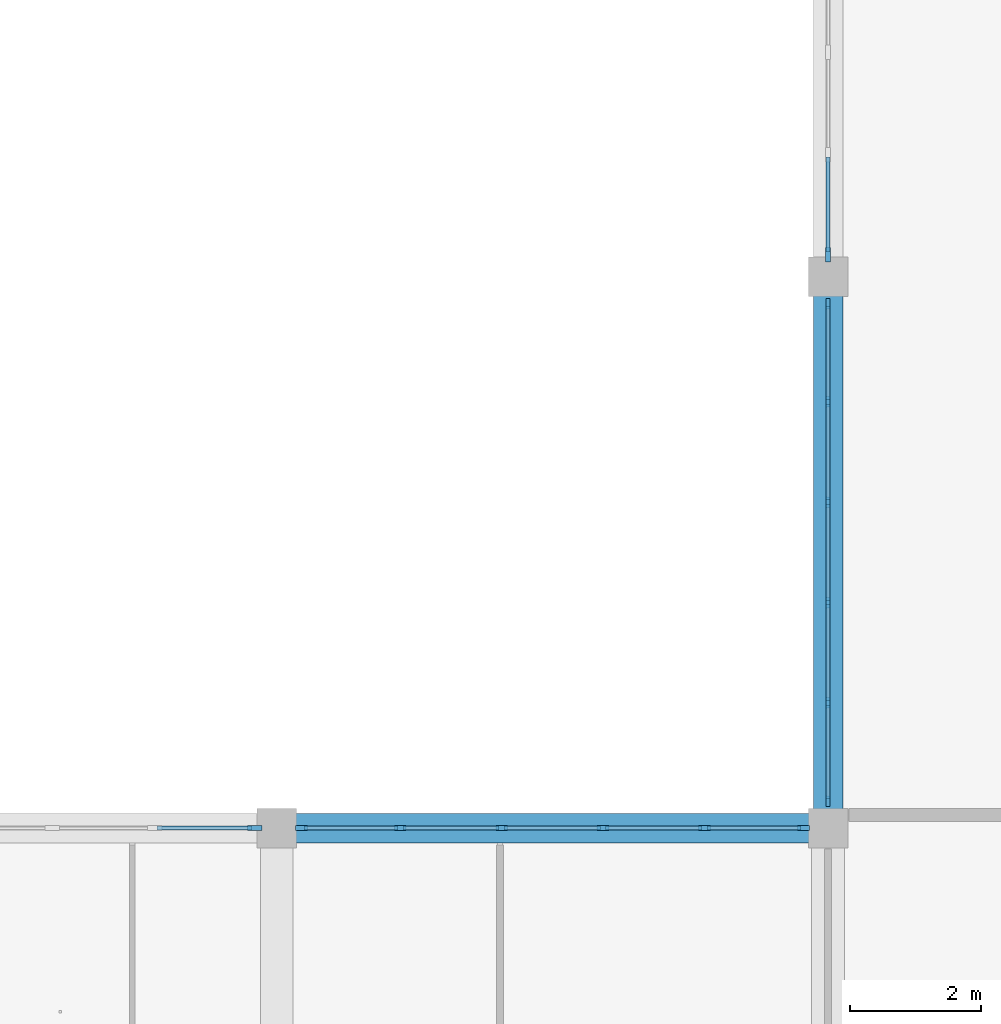
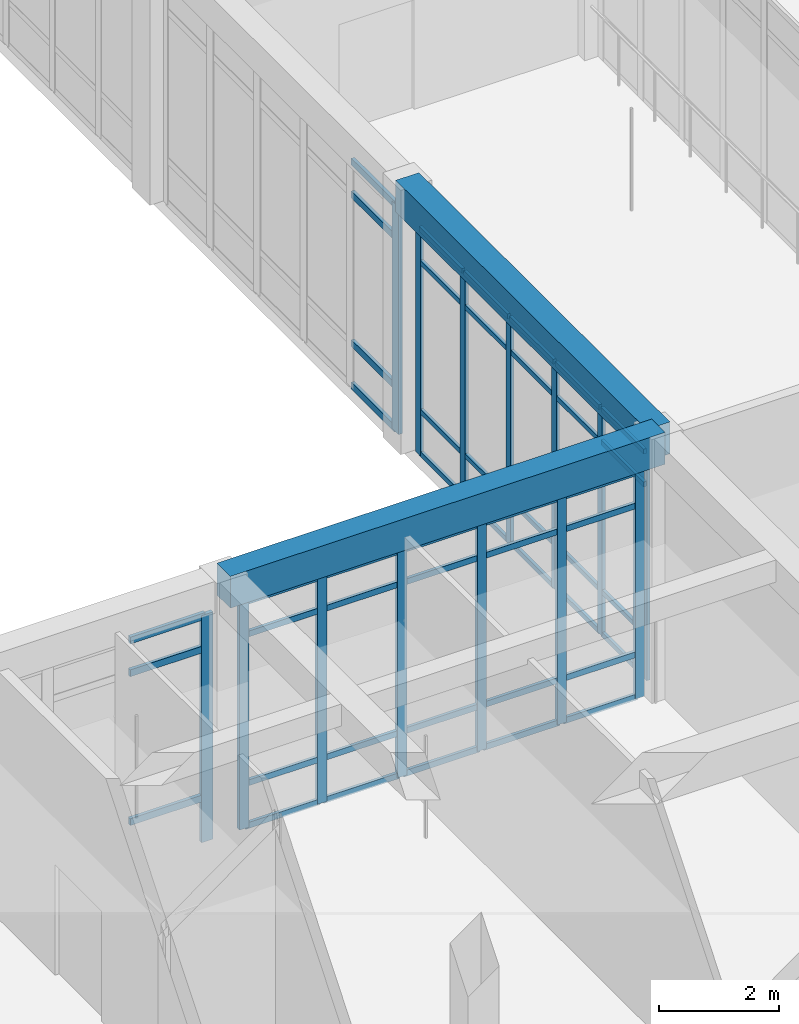
# One storey, part 13 of 157: 61 members, 2 beams, 4 elements without a shape of their own.
"""IFC4 building model written with IfcOpenShell, lengths in metres."""

from ifc_helpers import new_model, si_unit, direction, frame, origin, origin_2d, place, context, subcontext, project, spatial, rectangle, extrude, material, material_profile, profile_set, type_object, element, aggregate, save


model = new_model("IFC4")

# Units and contexts
model_context = context("Model", 3, precision=1e-05, world=origin(), true_north=direction((0.0, 1.0)))
body_context = subcontext(model_context, "Body", "Model", "MODEL_VIEW")
ifc_project = project(units=[si_unit("LENGTHUNIT", "METRE"), si_unit("AREAUNIT", "SQUARE_METRE"), si_unit("VOLUMEUNIT", "CUBIC_METRE"), si_unit("PLANEANGLEUNIT", "RADIAN"), si_unit("MASSUNIT", "GRAM", prefix="KILO")], contexts=[model_context])

# Site, building, storey
site_placement = place(None, origin())
site = spatial("IfcSite", under=ifc_project, at=site_placement, CompositionType="ELEMENT")
building_placement = place(site_placement, origin())
building = spatial("IfcBuilding", under=site, at=building_placement, Name="Varncliffe General Hospital", CompositionType="ELEMENT")
storey_placement = place(building_placement, frame((0.0, 0.0, 5.39990234375)))
storey = spatial("IfcBuildingStorey", under=building, at=storey_placement, Name="L01", CompositionType="ELEMENT", Elevation=5.39990234375)

# Curtain wall, members
ifc_material_1 = material(Name="Triple low-E argon insulated vision glazing", Category="glass")
curtain_wall_type_1 = type_object("IfcCurtainWallType", Name="Unitised Glazed Curtain Wall CW70 (7724x4640)", PredefinedType="USERDEFINED", material=ifc_material_1)
curtain_wall_1_placement = place(storey_placement, origin())
curtain_wall_1 = element("IfcCurtainWall", 1, at=curtain_wall_1_placement, inside=storey, type_object=curtain_wall_type_1, Name="L01 Glazed Curtain Wall CW70-85", ObjectType="GLAZED CURTAIN WALL", PredefinedType="USERDEFINED")
ifc_material_2 = material(Name="Dark bronze thermally broken aluminium framing", Category="aluminium")
ifc_material_profile_1 = material_profile(ifc_material_2, rectangle(XDim=0.074951171875, YDim=0.179931640625, at=origin_2d()), Name="ALU 75x180")
ifc_profile_set_1 = profile_set([ifc_material_profile_1], Name="Dark bronze thermally broken aluminium framing")
member_type_1 = type_object("IfcMemberType", Name="Curtain Wall Mullion CM44 (ALU 75x180)", PredefinedType="MULLION", material=ifc_profile_set_1)
member_1_placement = place(storey_placement, frame((50.775390625, 40.800048828125, 0.0), z_axis=(0.0, 0.0, 1.0), x_axis=(0.0, 1.0, 0.0)))
member_1 = element("IfcMember", 2, at=member_1_placement, type_object=member_type_1, Name="CW70 mullion 1", PredefinedType="MULLION", context=body_context, shape_type="SweptSolid", body=[
    extrude(rectangle(XDim=0.074951171875, YDim=0.179931640625, at=origin_2d()), origin(), (0.0, 0.0, 1.0), 4.64013671875),
])
member_2_placement = place(storey_placement, frame((52.28271484375, 40.800048828125, 0.0), z_axis=(0.0, 0.0, 1.0), x_axis=(0.0, 1.0, 0.0)))
member_2 = element("IfcMember", 3, at=member_2_placement, type_object=member_type_1, Name="CW70 mullion 2", PredefinedType="MULLION", context=body_context, shape_type="SweptSolid", body=[
    extrude(rectangle(XDim=0.074951171875, YDim=0.179931640625, at=origin_2d()), origin(), (0.0, 0.0, 1.0), 4.64013671875),
])
member_3_placement = place(storey_placement, frame((53.82763671875, 40.800048828125, 0.0), z_axis=(0.0, 0.0, 1.0), x_axis=(0.0, 1.0, 0.0)))
member_3 = element("IfcMember", 4, at=member_3_placement, type_object=member_type_1, Name="CW70 mullion 3", PredefinedType="MULLION", context=body_context, shape_type="SweptSolid", body=[
    extrude(rectangle(XDim=0.074951171875, YDim=0.179931640625, at=origin_2d()), origin(), (0.0, 0.0, 1.0), 4.64013671875),
])
member_4_placement = place(storey_placement, frame((55.372314453125, 40.800048828125, 0.0), z_axis=(0.0, 0.0, 1.0), x_axis=(0.0, 1.0, 0.0)))
member_4 = element("IfcMember", 5, at=member_4_placement, type_object=member_type_1, Name="CW70 mullion 4", PredefinedType="MULLION", context=body_context, shape_type="SweptSolid", body=[
    extrude(rectangle(XDim=0.074951171875, YDim=0.179931640625, at=origin_2d()), origin(), (0.0, 0.0, 1.0), 4.64013671875),
])
member_5_placement = place(storey_placement, frame((56.917236328125, 40.800048828125, 0.0), z_axis=(0.0, 0.0, 1.0), x_axis=(0.0, 1.0, 0.0)))
member_5 = element("IfcMember", 6, at=member_5_placement, type_object=member_type_1, Name="CW70 mullion 5", PredefinedType="MULLION", context=body_context, shape_type="SweptSolid", body=[
    extrude(rectangle(XDim=0.074951171875, YDim=0.179931640625, at=origin_2d()), origin(), (0.0, 0.0, 1.0), 4.64013671875),
])
member_6_placement = place(storey_placement, frame((58.424560546875, 40.800048828125, 0.0), z_axis=(0.0, 0.0, 1.0), x_axis=(0.0, 1.0, 0.0)))
member_6 = element("IfcMember", 7, at=member_6_placement, type_object=member_type_1, Name="CW70 mullion 6", PredefinedType="MULLION", context=body_context, shape_type="SweptSolid", body=[
    extrude(rectangle(XDim=0.074951171875, YDim=0.179931640625, at=origin_2d()), origin(), (0.0, 0.0, 1.0), 4.64013671875),
])

curtain_wall_type_2 = type_object("IfcCurtainWallType", Name="Unitised Glazed Curtain Wall CW27 (7644x4640)", PredefinedType="USERDEFINED", material=ifc_material_1)
curtain_wall_2_placement = place(storey_placement, origin())
curtain_wall_2 = element("IfcCurtainWall", 8, at=curtain_wall_2_placement, inside=storey, type_object=curtain_wall_type_2, Name="L01 Glazed Curtain Wall CW27-86", ObjectType="GLAZED CURTAIN WALL", PredefinedType="USERDEFINED")
ifc_material_profile_2 = material_profile(ifc_material_2, rectangle(XDim=0.06494140625, YDim=0.159912109375, at=origin_2d()), Name="ALU 65x160")
ifc_profile_set_2 = profile_set([ifc_material_profile_2], Name="Dark bronze thermally broken aluminium framing")
member_type_2 = type_object("IfcMemberType", Name="Curtain Wall Mullion CM65 (ALU 65x160)", PredefinedType="MULLION", material=ifc_profile_set_2)
member_7_placement = place(storey_placement, frame((58.800048828125, 41.21044921875, 0.0), z_axis=(0.0, 0.0, 1.0), x_axis=(-1.0, 0.0, 0.0)))
member_7 = element("IfcMember", 9, at=member_7_placement, type_object=member_type_2, Name="CW27 mullion 1", PredefinedType="MULLION", context=body_context, shape_type="SweptSolid", body=[
    extrude(rectangle(XDim=0.06494140625, YDim=0.159912109375, at=origin_2d()), origin(), (0.0, 0.0, 1.0), 4.64013671875),
])
member_8_placement = place(storey_placement, frame((58.800048828125, 42.706787109375, 0.0), z_axis=(0.0, 0.0, 1.0), x_axis=(-1.0, 0.0, 0.0)))
member_8 = element("IfcMember", 10, at=member_8_placement, type_object=member_type_2, Name="CW27 mullion 2", PredefinedType="MULLION", context=body_context, shape_type="SweptSolid", body=[
    extrude(rectangle(XDim=0.06494140625, YDim=0.159912109375, at=origin_2d()), origin(), (0.0, 0.0, 1.0), 4.64013671875),
])
member_9_placement = place(storey_placement, frame((58.800048828125, 44.235595703125, 0.0), z_axis=(0.0, 0.0, 1.0), x_axis=(-1.0, 0.0, 0.0)))
member_9 = element("IfcMember", 11, at=member_9_placement, type_object=member_type_2, Name="CW27 mullion 3", PredefinedType="MULLION", context=body_context, shape_type="SweptSolid", body=[
    extrude(rectangle(XDim=0.06494140625, YDim=0.159912109375, at=origin_2d()), origin(), (0.0, 0.0, 1.0), 4.64013671875),
])
member_10_placement = place(storey_placement, frame((58.800048828125, 45.764404296875, 0.0), z_axis=(0.0, 0.0, 1.0), x_axis=(-1.0, 0.0, 0.0)))
member_10 = element("IfcMember", 12, at=member_10_placement, type_object=member_type_2, Name="CW27 mullion 4", PredefinedType="MULLION", context=body_context, shape_type="SweptSolid", body=[
    extrude(rectangle(XDim=0.06494140625, YDim=0.159912109375, at=origin_2d()), origin(), (0.0, 0.0, 1.0), 4.64013671875),
])
member_11_placement = place(storey_placement, frame((58.800048828125, 47.293212890625, 0.0), z_axis=(0.0, 0.0, 1.0), x_axis=(-1.0, 0.0, 0.0)))
member_11 = element("IfcMember", 13, at=member_11_placement, type_object=member_type_2, Name="CW27 mullion 5", PredefinedType="MULLION", context=body_context, shape_type="SweptSolid", body=[
    extrude(rectangle(XDim=0.06494140625, YDim=0.159912109375, at=origin_2d()), origin(), (0.0, 0.0, 1.0), 4.64013671875),
])
member_12_placement = place(storey_placement, frame((58.800048828125, 48.78955078125, 0.0), z_axis=(0.0, 0.0, 1.0), x_axis=(-1.0, 0.0, 0.0)))
member_12 = element("IfcMember", 14, at=member_12_placement, type_object=member_type_2, Name="CW27 mullion 6", PredefinedType="MULLION", context=body_context, shape_type="SweptSolid", body=[
    extrude(rectangle(XDim=0.06494140625, YDim=0.159912109375, at=origin_2d()), origin(), (0.0, 0.0, 1.0), 4.64013671875),
])

# Curtain wall, member
curtain_wall_type_3 = type_object("IfcCurtainWallType", Name="Unitised Glazed Curtain Wall CW85 (7804x4640)", PredefinedType="USERDEFINED", material=ifc_material_1)
curtain_wall_3_placement = place(storey_placement, origin())
curtain_wall_3 = element("IfcCurtainWall", 15, at=curtain_wall_3_placement, inside=storey, type_object=curtain_wall_type_3, Name="L01 Glazed Curtain Wall CW85-84", ObjectType="GLAZED CURTAIN WALL", PredefinedType="USERDEFINED")
ifc_material_profile_3 = material_profile(ifc_material_2, rectangle(XDim=0.074951171875, YDim=0.219970703125, at=origin_2d()), Name="ALU 75x220")
ifc_profile_set_3 = profile_set([ifc_material_profile_3], Name="Dark bronze thermally broken aluminium framing")
member_type_3 = type_object("IfcMemberType", Name="Curtain Wall Mullion CM74 (ALU 75x220)", PredefinedType="MULLION", material=ifc_profile_set_3)
member_13_placement = place(storey_placement, frame((50.064453125, 40.800048828125, 0.0), z_axis=(0.0, 0.0, 1.0), x_axis=(0.0, 1.0, 0.0)))
member_13 = element("IfcMember", 16, at=member_13_placement, type_object=member_type_3, Name="CW85 mullion 6", PredefinedType="MULLION", context=body_context, shape_type="SweptSolid", body=[
    extrude(rectangle(XDim=0.074951171875, YDim=0.219970703125, at=origin_2d()), origin(), (0.0, 0.0, 1.0), 4.64013671875),
])

curtain_wall_4_placement = place(storey_placement, origin())
curtain_wall_4 = element("IfcCurtainWall", 17, at=curtain_wall_4_placement, inside=storey, type_object=curtain_wall_type_3, Name="L01 Glazed Curtain Wall CW85-87", ObjectType="GLAZED CURTAIN WALL", PredefinedType="USERDEFINED")
member_14_placement = place(storey_placement, frame((58.800048828125, 49.535400390625, 0.0), z_axis=(0.0, 0.0, 1.0), x_axis=(-1.0, 0.0, 0.0)))
member_14 = element("IfcMember", 18, at=member_14_placement, type_object=member_type_3, Name="CW85 mullion 1", PredefinedType="MULLION", context=body_context, shape_type="SweptSolid", body=[
    extrude(rectangle(XDim=0.074951171875, YDim=0.219970703125, at=origin_2d()), origin(), (0.0, 0.0, 1.0), 4.64013671875),
])

# Member
ifc_material_profile_4 = material_profile(ifc_material_2, rectangle(XDim=0.06005859375, YDim=0.1201171875, at=origin_2d()), Name="ALU 60x120")
ifc_profile_set_4 = profile_set([ifc_material_profile_4], Name="Dark bronze thermally broken aluminium framing")
member_type_4 = type_object("IfcMemberType", Name="Curtain Wall Transom CT14 (ALU 60x120)", PredefinedType="USERDEFINED", material=ifc_profile_set_4)
member_15_placement = place(storey_placement, frame((50.81298828125, 40.800048828125, 0.030029296875), z_axis=(1.0, 0.0, 0.0), x_axis=(0.0, 1.0, 0.0)))
member_15 = element("IfcMember", 19, at=member_15_placement, type_object=member_type_4, Name="CW70 transom 1.1", ObjectType="TRANSOM", PredefinedType="USERDEFINED", context=body_context, shape_type="SweptSolid", body=[
    extrude(rectangle(XDim=0.06005859375, YDim=0.1201171875, at=origin_2d()), origin(), (0.0, 0.0, 1.0), 1.432373046875),
])

member_16_placement = place(storey_placement, frame((50.81298828125, 40.800048828125, 0.900146484375), z_axis=(1.0, 0.0, 0.0), x_axis=(0.0, 1.0, 0.0)))
member_16 = element("IfcMember", 20, at=member_16_placement, type_object=member_type_4, Name="CW70 transom 1.2", ObjectType="TRANSOM", PredefinedType="USERDEFINED", context=body_context, shape_type="SweptSolid", body=[
    extrude(rectangle(XDim=0.06005859375, YDim=0.1201171875, at=origin_2d()), origin(), (0.0, 0.0, 1.0), 1.432373046875),
])

member_17_placement = place(storey_placement, frame((50.81298828125, 40.800048828125, 3.940185546875), z_axis=(1.0, 0.0, 0.0), x_axis=(0.0, 1.0, 0.0)))
member_17 = element("IfcMember", 21, at=member_17_placement, type_object=member_type_4, Name="CW70 transom 1.3", ObjectType="TRANSOM", PredefinedType="USERDEFINED", context=body_context, shape_type="SweptSolid", body=[
    extrude(rectangle(XDim=0.06005859375, YDim=0.1201171875, at=origin_2d()), origin(), (0.0, 0.0, 1.0), 1.432373046875),
])

member_18_placement = place(storey_placement, frame((50.81298828125, 40.800048828125, 4.610107421875), z_axis=(1.0, 0.0, 0.0), x_axis=(0.0, 1.0, 0.0)))
member_18 = element("IfcMember", 22, at=member_18_placement, type_object=member_type_4, Name="CW70 transom 1.4", ObjectType="TRANSOM", PredefinedType="USERDEFINED", context=body_context, shape_type="SweptSolid", body=[
    extrude(rectangle(XDim=0.06005859375, YDim=0.1201171875, at=origin_2d()), origin(), (0.0, 0.0, 1.0), 1.432373046875),
])

member_19_placement = place(storey_placement, frame((52.3203125, 40.800048828125, 0.030029296875), z_axis=(1.0, 0.0, 0.0), x_axis=(0.0, 1.0, 0.0)))
member_19 = element("IfcMember", 23, at=member_19_placement, type_object=member_type_4, Name="CW70 transom 2.1", ObjectType="TRANSOM", PredefinedType="USERDEFINED", context=body_context, shape_type="SweptSolid", body=[
    extrude(rectangle(XDim=0.06005859375, YDim=0.1201171875, at=origin_2d()), origin(), (0.0, 0.0, 1.0), 1.4697265625),
])

member_20_placement = place(storey_placement, frame((52.3203125, 40.800048828125, 0.900146484375), z_axis=(1.0, 0.0, 0.0), x_axis=(0.0, 1.0, 0.0)))
member_20 = element("IfcMember", 24, at=member_20_placement, type_object=member_type_4, Name="CW70 transom 2.2", ObjectType="TRANSOM", PredefinedType="USERDEFINED", context=body_context, shape_type="SweptSolid", body=[
    extrude(rectangle(XDim=0.06005859375, YDim=0.1201171875, at=origin_2d()), origin(), (0.0, 0.0, 1.0), 1.4697265625),
])

member_21_placement = place(storey_placement, frame((52.3203125, 40.800048828125, 3.940185546875), z_axis=(1.0, 0.0, 0.0), x_axis=(0.0, 1.0, 0.0)))
member_21 = element("IfcMember", 25, at=member_21_placement, type_object=member_type_4, Name="CW70 transom 2.3", ObjectType="TRANSOM", PredefinedType="USERDEFINED", context=body_context, shape_type="SweptSolid", body=[
    extrude(rectangle(XDim=0.06005859375, YDim=0.1201171875, at=origin_2d()), origin(), (0.0, 0.0, 1.0), 1.4697265625),
])

member_22_placement = place(storey_placement, frame((52.3203125, 40.800048828125, 4.610107421875), z_axis=(1.0, 0.0, 0.0), x_axis=(0.0, 1.0, 0.0)))
member_22 = element("IfcMember", 26, at=member_22_placement, type_object=member_type_4, Name="CW70 transom 2.4", ObjectType="TRANSOM", PredefinedType="USERDEFINED", context=body_context, shape_type="SweptSolid", body=[
    extrude(rectangle(XDim=0.06005859375, YDim=0.1201171875, at=origin_2d()), origin(), (0.0, 0.0, 1.0), 1.4697265625),
])

member_23_placement = place(storey_placement, frame((53.864990234375, 40.800048828125, 0.030029296875), z_axis=(1.0, 0.0, 0.0), x_axis=(0.0, 1.0, 0.0)))
member_23 = element("IfcMember", 27, at=member_23_placement, type_object=member_type_4, Name="CW70 transom 3.1", ObjectType="TRANSOM", PredefinedType="USERDEFINED", context=body_context, shape_type="SweptSolid", body=[
    extrude(rectangle(XDim=0.06005859375, YDim=0.1201171875, at=origin_2d()), origin(), (0.0, 0.0, 1.0), 1.469970703125),
])

member_24_placement = place(storey_placement, frame((53.864990234375, 40.800048828125, 0.900146484375), z_axis=(1.0, 0.0, 0.0), x_axis=(0.0, 1.0, 0.0)))
member_24 = element("IfcMember", 28, at=member_24_placement, type_object=member_type_4, Name="CW70 transom 3.2", ObjectType="TRANSOM", PredefinedType="USERDEFINED", context=body_context, shape_type="SweptSolid", body=[
    extrude(rectangle(XDim=0.06005859375, YDim=0.1201171875, at=origin_2d()), origin(), (0.0, 0.0, 1.0), 1.469970703125),
])

member_25_placement = place(storey_placement, frame((53.864990234375, 40.800048828125, 3.940185546875), z_axis=(1.0, 0.0, 0.0), x_axis=(0.0, 1.0, 0.0)))
member_25 = element("IfcMember", 29, at=member_25_placement, type_object=member_type_4, Name="CW70 transom 3.3", ObjectType="TRANSOM", PredefinedType="USERDEFINED", context=body_context, shape_type="SweptSolid", body=[
    extrude(rectangle(XDim=0.06005859375, YDim=0.1201171875, at=origin_2d()), origin(), (0.0, 0.0, 1.0), 1.469970703125),
])

member_26_placement = place(storey_placement, frame((53.864990234375, 40.800048828125, 4.610107421875), z_axis=(1.0, 0.0, 0.0), x_axis=(0.0, 1.0, 0.0)))
member_26 = element("IfcMember", 30, at=member_26_placement, type_object=member_type_4, Name="CW70 transom 3.4", ObjectType="TRANSOM", PredefinedType="USERDEFINED", context=body_context, shape_type="SweptSolid", body=[
    extrude(rectangle(XDim=0.06005859375, YDim=0.1201171875, at=origin_2d()), origin(), (0.0, 0.0, 1.0), 1.469970703125),
])

member_27_placement = place(storey_placement, frame((55.409912109375, 40.800048828125, 0.030029296875), z_axis=(1.0, 0.0, 0.0), x_axis=(0.0, 1.0, 0.0)))
member_27 = element("IfcMember", 31, at=member_27_placement, type_object=member_type_4, Name="CW70 transom 4.1", ObjectType="TRANSOM", PredefinedType="USERDEFINED", context=body_context, shape_type="SweptSolid", body=[
    extrude(rectangle(XDim=0.06005859375, YDim=0.1201171875, at=origin_2d()), origin(), (0.0, 0.0, 1.0), 1.4697265625),
])

member_28_placement = place(storey_placement, frame((55.409912109375, 40.800048828125, 0.900146484375), z_axis=(1.0, 0.0, 0.0), x_axis=(0.0, 1.0, 0.0)))
member_28 = element("IfcMember", 32, at=member_28_placement, type_object=member_type_4, Name="CW70 transom 4.2", ObjectType="TRANSOM", PredefinedType="USERDEFINED", context=body_context, shape_type="SweptSolid", body=[
    extrude(rectangle(XDim=0.06005859375, YDim=0.1201171875, at=origin_2d()), origin(), (0.0, 0.0, 1.0), 1.4697265625),
])

member_29_placement = place(storey_placement, frame((55.409912109375, 40.800048828125, 3.940185546875), z_axis=(1.0, 0.0, 0.0), x_axis=(0.0, 1.0, 0.0)))
member_29 = element("IfcMember", 33, at=member_29_placement, type_object=member_type_4, Name="CW70 transom 4.3", ObjectType="TRANSOM", PredefinedType="USERDEFINED", context=body_context, shape_type="SweptSolid", body=[
    extrude(rectangle(XDim=0.06005859375, YDim=0.1201171875, at=origin_2d()), origin(), (0.0, 0.0, 1.0), 1.4697265625),
])

member_30_placement = place(storey_placement, frame((55.409912109375, 40.800048828125, 4.610107421875), z_axis=(1.0, 0.0, 0.0), x_axis=(0.0, 1.0, 0.0)))
member_30 = element("IfcMember", 34, at=member_30_placement, type_object=member_type_4, Name="CW70 transom 4.4", ObjectType="TRANSOM", PredefinedType="USERDEFINED", context=body_context, shape_type="SweptSolid", body=[
    extrude(rectangle(XDim=0.06005859375, YDim=0.1201171875, at=origin_2d()), origin(), (0.0, 0.0, 1.0), 1.4697265625),
])

member_31_placement = place(storey_placement, frame((56.95458984375, 40.800048828125, 0.030029296875), z_axis=(1.0, 0.0, 0.0), x_axis=(0.0, 1.0, 0.0)))
member_31 = element("IfcMember", 35, at=member_31_placement, type_object=member_type_4, Name="CW70 transom 5.1", ObjectType="TRANSOM", PredefinedType="USERDEFINED", context=body_context, shape_type="SweptSolid", body=[
    extrude(rectangle(XDim=0.06005859375, YDim=0.1201171875, at=origin_2d()), origin(), (0.0, 0.0, 1.0), 1.432373046875),
])

member_32_placement = place(storey_placement, frame((56.95458984375, 40.800048828125, 0.900146484375), z_axis=(1.0, 0.0, 0.0), x_axis=(0.0, 1.0, 0.0)))
member_32 = element("IfcMember", 36, at=member_32_placement, type_object=member_type_4, Name="CW70 transom 5.2", ObjectType="TRANSOM", PredefinedType="USERDEFINED", context=body_context, shape_type="SweptSolid", body=[
    extrude(rectangle(XDim=0.06005859375, YDim=0.1201171875, at=origin_2d()), origin(), (0.0, 0.0, 1.0), 1.432373046875),
])

member_33_placement = place(storey_placement, frame((56.95458984375, 40.800048828125, 3.940185546875), z_axis=(1.0, 0.0, 0.0), x_axis=(0.0, 1.0, 0.0)))
member_33 = element("IfcMember", 37, at=member_33_placement, type_object=member_type_4, Name="CW70 transom 5.3", ObjectType="TRANSOM", PredefinedType="USERDEFINED", context=body_context, shape_type="SweptSolid", body=[
    extrude(rectangle(XDim=0.06005859375, YDim=0.1201171875, at=origin_2d()), origin(), (0.0, 0.0, 1.0), 1.432373046875),
])

member_34_placement = place(storey_placement, frame((56.95458984375, 40.800048828125, 4.610107421875), z_axis=(1.0, 0.0, 0.0), x_axis=(0.0, 1.0, 0.0)))
member_34 = element("IfcMember", 38, at=member_34_placement, type_object=member_type_4, Name="CW70 transom 5.4", ObjectType="TRANSOM", PredefinedType="USERDEFINED", context=body_context, shape_type="SweptSolid", body=[
    extrude(rectangle(XDim=0.06005859375, YDim=0.1201171875, at=origin_2d()), origin(), (0.0, 0.0, 1.0), 1.432373046875),
])

aggregate(curtain_wall_1, [member_1, member_2, member_3, member_4, member_5, member_6, member_15, member_16, member_17, member_18, member_19, member_20, member_21, member_22, member_23, member_24, member_25, member_26, member_27, member_28, member_29, member_30, member_31, member_32, member_33, member_34])

ifc_material_profile_5 = material_profile(ifc_material_2, rectangle(XDim=0.06005859375, YDim=0.10009765625, at=origin_2d()), Name="ALU 60x100")
ifc_profile_set_5 = profile_set([ifc_material_profile_5], Name="Dark bronze thermally broken aluminium framing")
member_type_5 = type_object("IfcMemberType", Name="Curtain Wall Transom CT18 (ALU 60x100)", PredefinedType="USERDEFINED", material=ifc_profile_set_5)
member_35_placement = place(storey_placement, frame((58.800048828125, 41.242919921875, 0.030029296875), z_axis=(0.0, 1.0, 0.0), x_axis=(-1.0, 0.0, 0.0)))
member_35 = element("IfcMember", 39, at=member_35_placement, type_object=member_type_5, Name="CW27 transom 1.1", ObjectType="TRANSOM", PredefinedType="USERDEFINED", context=body_context, shape_type="SweptSolid", body=[
    extrude(rectangle(XDim=0.06005859375, YDim=0.10009765625, at=origin_2d()), origin(), (0.0, 0.0, 1.0), 1.431396484375),
])

member_36_placement = place(storey_placement, frame((58.800048828125, 41.242919921875, 0.900146484375), z_axis=(0.0, 1.0, 0.0), x_axis=(-1.0, 0.0, 0.0)))
member_36 = element("IfcMember", 40, at=member_36_placement, type_object=member_type_5, Name="CW27 transom 1.2", ObjectType="TRANSOM", PredefinedType="USERDEFINED", context=body_context, shape_type="SweptSolid", body=[
    extrude(rectangle(XDim=0.06005859375, YDim=0.10009765625, at=origin_2d()), origin(), (0.0, 0.0, 1.0), 1.431396484375),
])

member_37_placement = place(storey_placement, frame((58.800048828125, 41.242919921875, 3.940185546875), z_axis=(0.0, 1.0, 0.0), x_axis=(-1.0, 0.0, 0.0)))
member_37 = element("IfcMember", 41, at=member_37_placement, type_object=member_type_5, Name="CW27 transom 1.3", ObjectType="TRANSOM", PredefinedType="USERDEFINED", context=body_context, shape_type="SweptSolid", body=[
    extrude(rectangle(XDim=0.06005859375, YDim=0.10009765625, at=origin_2d()), origin(), (0.0, 0.0, 1.0), 1.431396484375),
])

member_38_placement = place(storey_placement, frame((58.800048828125, 41.242919921875, 4.610107421875), z_axis=(0.0, 1.0, 0.0), x_axis=(-1.0, 0.0, 0.0)))
member_38 = element("IfcMember", 42, at=member_38_placement, type_object=member_type_5, Name="CW27 transom 1.4", ObjectType="TRANSOM", PredefinedType="USERDEFINED", context=body_context, shape_type="SweptSolid", body=[
    extrude(rectangle(XDim=0.06005859375, YDim=0.10009765625, at=origin_2d()), origin(), (0.0, 0.0, 1.0), 1.431396484375),
])

member_39_placement = place(storey_placement, frame((58.800048828125, 42.7392578125, 0.030029296875), z_axis=(0.0, 1.0, 0.0), x_axis=(-1.0, 0.0, 0.0)))
member_39 = element("IfcMember", 43, at=member_39_placement, type_object=member_type_5, Name="CW27 transom 2.1", ObjectType="TRANSOM", PredefinedType="USERDEFINED", context=body_context, shape_type="SweptSolid", body=[
    extrude(rectangle(XDim=0.06005859375, YDim=0.10009765625, at=origin_2d()), origin(), (0.0, 0.0, 1.0), 1.4638671875),
])

member_40_placement = place(storey_placement, frame((58.800048828125, 42.7392578125, 0.900146484375), z_axis=(0.0, 1.0, 0.0), x_axis=(-1.0, 0.0, 0.0)))
member_40 = element("IfcMember", 44, at=member_40_placement, type_object=member_type_5, Name="CW27 transom 2.2", ObjectType="TRANSOM", PredefinedType="USERDEFINED", context=body_context, shape_type="SweptSolid", body=[
    extrude(rectangle(XDim=0.06005859375, YDim=0.10009765625, at=origin_2d()), origin(), (0.0, 0.0, 1.0), 1.4638671875),
])

member_41_placement = place(storey_placement, frame((58.800048828125, 42.7392578125, 3.940185546875), z_axis=(0.0, 1.0, 0.0), x_axis=(-1.0, 0.0, 0.0)))
member_41 = element("IfcMember", 45, at=member_41_placement, type_object=member_type_5, Name="CW27 transom 2.3", ObjectType="TRANSOM", PredefinedType="USERDEFINED", context=body_context, shape_type="SweptSolid", body=[
    extrude(rectangle(XDim=0.06005859375, YDim=0.10009765625, at=origin_2d()), origin(), (0.0, 0.0, 1.0), 1.4638671875),
])

member_42_placement = place(storey_placement, frame((58.800048828125, 42.7392578125, 4.610107421875), z_axis=(0.0, 1.0, 0.0), x_axis=(-1.0, 0.0, 0.0)))
member_42 = element("IfcMember", 46, at=member_42_placement, type_object=member_type_5, Name="CW27 transom 2.4", ObjectType="TRANSOM", PredefinedType="USERDEFINED", context=body_context, shape_type="SweptSolid", body=[
    extrude(rectangle(XDim=0.06005859375, YDim=0.10009765625, at=origin_2d()), origin(), (0.0, 0.0, 1.0), 1.4638671875),
])

member_43_placement = place(storey_placement, frame((58.800048828125, 44.26806640625, 0.030029296875), z_axis=(0.0, 1.0, 0.0), x_axis=(-1.0, 0.0, 0.0)))
member_43 = element("IfcMember", 47, at=member_43_placement, type_object=member_type_5, Name="CW27 transom 3.1", ObjectType="TRANSOM", PredefinedType="USERDEFINED", context=body_context, shape_type="SweptSolid", body=[
    extrude(rectangle(XDim=0.06005859375, YDim=0.10009765625, at=origin_2d()), origin(), (0.0, 0.0, 1.0), 1.4638671875),
])

member_44_placement = place(storey_placement, frame((58.800048828125, 44.26806640625, 0.900146484375), z_axis=(0.0, 1.0, 0.0), x_axis=(-1.0, 0.0, 0.0)))
member_44 = element("IfcMember", 48, at=member_44_placement, type_object=member_type_5, Name="CW27 transom 3.2", ObjectType="TRANSOM", PredefinedType="USERDEFINED", context=body_context, shape_type="SweptSolid", body=[
    extrude(rectangle(XDim=0.06005859375, YDim=0.10009765625, at=origin_2d()), origin(), (0.0, 0.0, 1.0), 1.4638671875),
])

member_45_placement = place(storey_placement, frame((58.800048828125, 44.26806640625, 3.940185546875), z_axis=(0.0, 1.0, 0.0), x_axis=(-1.0, 0.0, 0.0)))
member_45 = element("IfcMember", 49, at=member_45_placement, type_object=member_type_5, Name="CW27 transom 3.3", ObjectType="TRANSOM", PredefinedType="USERDEFINED", context=body_context, shape_type="SweptSolid", body=[
    extrude(rectangle(XDim=0.06005859375, YDim=0.10009765625, at=origin_2d()), origin(), (0.0, 0.0, 1.0), 1.4638671875),
])

member_46_placement = place(storey_placement, frame((58.800048828125, 44.26806640625, 4.610107421875), z_axis=(0.0, 1.0, 0.0), x_axis=(-1.0, 0.0, 0.0)))
member_46 = element("IfcMember", 50, at=member_46_placement, type_object=member_type_5, Name="CW27 transom 3.4", ObjectType="TRANSOM", PredefinedType="USERDEFINED", context=body_context, shape_type="SweptSolid", body=[
    extrude(rectangle(XDim=0.06005859375, YDim=0.10009765625, at=origin_2d()), origin(), (0.0, 0.0, 1.0), 1.4638671875),
])

member_47_placement = place(storey_placement, frame((58.800048828125, 45.796875, 0.030029296875), z_axis=(0.0, 1.0, 0.0), x_axis=(-1.0, 0.0, 0.0)))
member_47 = element("IfcMember", 51, at=member_47_placement, type_object=member_type_5, Name="CW27 transom 4.1", ObjectType="TRANSOM", PredefinedType="USERDEFINED", context=body_context, shape_type="SweptSolid", body=[
    extrude(rectangle(XDim=0.06005859375, YDim=0.10009765625, at=origin_2d()), origin(), (0.0, 0.0, 1.0), 1.4638671875),
])

member_48_placement = place(storey_placement, frame((58.800048828125, 45.796875, 0.900146484375), z_axis=(0.0, 1.0, 0.0), x_axis=(-1.0, 0.0, 0.0)))
member_48 = element("IfcMember", 52, at=member_48_placement, type_object=member_type_5, Name="CW27 transom 4.2", ObjectType="TRANSOM", PredefinedType="USERDEFINED", context=body_context, shape_type="SweptSolid", body=[
    extrude(rectangle(XDim=0.06005859375, YDim=0.10009765625, at=origin_2d()), origin(), (0.0, 0.0, 1.0), 1.4638671875),
])

member_49_placement = place(storey_placement, frame((58.800048828125, 45.796875, 3.940185546875), z_axis=(0.0, 1.0, 0.0), x_axis=(-1.0, 0.0, 0.0)))
member_49 = element("IfcMember", 53, at=member_49_placement, type_object=member_type_5, Name="CW27 transom 4.3", ObjectType="TRANSOM", PredefinedType="USERDEFINED", context=body_context, shape_type="SweptSolid", body=[
    extrude(rectangle(XDim=0.06005859375, YDim=0.10009765625, at=origin_2d()), origin(), (0.0, 0.0, 1.0), 1.4638671875),
])

member_50_placement = place(storey_placement, frame((58.800048828125, 45.796875, 4.610107421875), z_axis=(0.0, 1.0, 0.0), x_axis=(-1.0, 0.0, 0.0)))
member_50 = element("IfcMember", 54, at=member_50_placement, type_object=member_type_5, Name="CW27 transom 4.4", ObjectType="TRANSOM", PredefinedType="USERDEFINED", context=body_context, shape_type="SweptSolid", body=[
    extrude(rectangle(XDim=0.06005859375, YDim=0.10009765625, at=origin_2d()), origin(), (0.0, 0.0, 1.0), 1.4638671875),
])

member_51_placement = place(storey_placement, frame((58.800048828125, 47.32568359375, 0.030029296875), z_axis=(0.0, 1.0, 0.0), x_axis=(-1.0, 0.0, 0.0)))
member_51 = element("IfcMember", 55, at=member_51_placement, type_object=member_type_5, Name="CW27 transom 5.1", ObjectType="TRANSOM", PredefinedType="USERDEFINED", context=body_context, shape_type="SweptSolid", body=[
    extrude(rectangle(XDim=0.06005859375, YDim=0.10009765625, at=origin_2d()), origin(), (0.0, 0.0, 1.0), 1.431396484375),
])

member_52_placement = place(storey_placement, frame((58.800048828125, 47.32568359375, 0.900146484375), z_axis=(0.0, 1.0, 0.0), x_axis=(-1.0, 0.0, 0.0)))
member_52 = element("IfcMember", 56, at=member_52_placement, type_object=member_type_5, Name="CW27 transom 5.2", ObjectType="TRANSOM", PredefinedType="USERDEFINED", context=body_context, shape_type="SweptSolid", body=[
    extrude(rectangle(XDim=0.06005859375, YDim=0.10009765625, at=origin_2d()), origin(), (0.0, 0.0, 1.0), 1.431396484375),
])

member_53_placement = place(storey_placement, frame((58.800048828125, 47.32568359375, 3.940185546875), z_axis=(0.0, 1.0, 0.0), x_axis=(-1.0, 0.0, 0.0)))
member_53 = element("IfcMember", 57, at=member_53_placement, type_object=member_type_5, Name="CW27 transom 5.3", ObjectType="TRANSOM", PredefinedType="USERDEFINED", context=body_context, shape_type="SweptSolid", body=[
    extrude(rectangle(XDim=0.06005859375, YDim=0.10009765625, at=origin_2d()), origin(), (0.0, 0.0, 1.0), 1.431396484375),
])

member_54_placement = place(storey_placement, frame((58.800048828125, 47.32568359375, 4.610107421875), z_axis=(0.0, 1.0, 0.0), x_axis=(-1.0, 0.0, 0.0)))
member_54 = element("IfcMember", 58, at=member_54_placement, type_object=member_type_5, Name="CW27 transom 5.4", ObjectType="TRANSOM", PredefinedType="USERDEFINED", context=body_context, shape_type="SweptSolid", body=[
    extrude(rectangle(XDim=0.06005859375, YDim=0.10009765625, at=origin_2d()), origin(), (0.0, 0.0, 1.0), 1.431396484375),
])

aggregate(curtain_wall_2, [member_7, member_8, member_9, member_10, member_11, member_12, member_35, member_36, member_37, member_38, member_39, member_40, member_41, member_42, member_43, member_44, member_45, member_46, member_47, member_48, member_49, member_50, member_51, member_52, member_53, member_54])

ifc_material_profile_6 = material_profile(ifc_material_2, rectangle(XDim=0.06494140625, YDim=0.139892578125, at=origin_2d()), Name="ALU 65x140")
ifc_profile_set_6 = profile_set([ifc_material_profile_6], Name="Dark bronze thermally broken aluminium framing")
member_type_6 = type_object("IfcMemberType", Name="Curtain Wall Transom CT69 (ALU 65x140)", PredefinedType="USERDEFINED", material=ifc_profile_set_6)
member_55_placement = place(storey_placement, frame((48.57861328125, 40.800048828125, 0.900146484375), z_axis=(1.0, 0.0, 0.0), x_axis=(0.0, 1.0, 0.0)))
member_55 = element("IfcMember", 59, at=member_55_placement, type_object=member_type_6, Name="CW85 transom 5.2", ObjectType="TRANSOM", PredefinedType="USERDEFINED", context=body_context, shape_type="SweptSolid", body=[
    extrude(rectangle(XDim=0.06494140625, YDim=0.139892578125, at=origin_2d()), origin(), (0.0, 0.0, 1.0), 1.448486328125),
])

member_56_placement = place(storey_placement, frame((48.57861328125, 40.800048828125, 3.940185546875), z_axis=(1.0, 0.0, 0.0), x_axis=(0.0, 1.0, 0.0)))
member_56 = element("IfcMember", 60, at=member_56_placement, type_object=member_type_6, Name="CW85 transom 5.3", ObjectType="TRANSOM", PredefinedType="USERDEFINED", context=body_context, shape_type="SweptSolid", body=[
    extrude(rectangle(XDim=0.06494140625, YDim=0.139892578125, at=origin_2d()), origin(), (0.0, 0.0, 1.0), 1.448486328125),
])

member_57_placement = place(storey_placement, frame((48.57861328125, 40.800048828125, 4.607666015625), z_axis=(1.0, 0.0, 0.0), x_axis=(0.0, 1.0, 0.0)))
member_57 = element("IfcMember", 61, at=member_57_placement, type_object=member_type_6, Name="CW85 transom 5.4", ObjectType="TRANSOM", PredefinedType="USERDEFINED", context=body_context, shape_type="SweptSolid", body=[
    extrude(rectangle(XDim=0.06494140625, YDim=0.139892578125, at=origin_2d()), origin(), (0.0, 0.0, 1.0), 1.448486328125),
])

aggregate(curtain_wall_3, [member_13, member_55, member_56, member_57])

member_58_placement = place(storey_placement, frame((58.800048828125, 49.572998046875, 0.03271484375), z_axis=(0.0, 1.0, 0.0), x_axis=(-1.0, 0.0, 0.0)))
member_58 = element("IfcMember", 62, at=member_58_placement, type_object=member_type_6, Name="CW85 transom 1.1", ObjectType="TRANSOM", PredefinedType="USERDEFINED", context=body_context, shape_type="SweptSolid", body=[
    extrude(rectangle(XDim=0.06494140625, YDim=0.139892578125, at=origin_2d()), origin(), (0.0, 0.0, 1.0), 1.4482421875),
])

member_59_placement = place(storey_placement, frame((58.800048828125, 49.572998046875, 0.900146484375), z_axis=(0.0, 1.0, 0.0), x_axis=(-1.0, 0.0, 0.0)))
member_59 = element("IfcMember", 63, at=member_59_placement, type_object=member_type_6, Name="CW85 transom 1.2", ObjectType="TRANSOM", PredefinedType="USERDEFINED", context=body_context, shape_type="SweptSolid", body=[
    extrude(rectangle(XDim=0.06494140625, YDim=0.139892578125, at=origin_2d()), origin(), (0.0, 0.0, 1.0), 1.4482421875),
])

member_60_placement = place(storey_placement, frame((58.800048828125, 49.572998046875, 3.940185546875), z_axis=(0.0, 1.0, 0.0), x_axis=(-1.0, 0.0, 0.0)))
member_60 = element("IfcMember", 64, at=member_60_placement, type_object=member_type_6, Name="CW85 transom 1.3", ObjectType="TRANSOM", PredefinedType="USERDEFINED", context=body_context, shape_type="SweptSolid", body=[
    extrude(rectangle(XDim=0.06494140625, YDim=0.139892578125, at=origin_2d()), origin(), (0.0, 0.0, 1.0), 1.4482421875),
])

member_61_placement = place(storey_placement, frame((58.800048828125, 49.572998046875, 4.607666015625), z_axis=(0.0, 1.0, 0.0), x_axis=(-1.0, 0.0, 0.0)))
member_61 = element("IfcMember", 65, at=member_61_placement, type_object=member_type_6, Name="CW85 transom 1.4", ObjectType="TRANSOM", PredefinedType="USERDEFINED", context=body_context, shape_type="SweptSolid", body=[
    extrude(rectangle(XDim=0.06494140625, YDim=0.139892578125, at=origin_2d()), origin(), (0.0, 0.0, 1.0), 1.4482421875),
])

aggregate(curtain_wall_4, [member_14, member_58, member_59, member_60, member_61])

# Beams
ifc_material_3 = material(Name="Concrete C35/45 (CSA A23.1 35 MPa)", Category="concrete")
ifc_material_profile_7 = material_profile(ifc_material_3, rectangle(XDim=0.449951171875, YDim=0.64990234375, at=origin_2d()), Name="RC 450x650")
ifc_profile_set_7 = profile_set([ifc_material_profile_7], Name="Concrete C35/45 (CSA A23.1 35 MPa)")
beam_type = type_object("IfcBeamType", Name="Spandrel SP38 (Ext RC 450x650B)", PredefinedType="SPANDREL", material=ifc_profile_set_7)
beam_1_placement = place(storey_placement, frame((50.39990234375, 40.800048828125, 5.0751953125), z_axis=(1.0, 0.0, 0.0), x_axis=(0.0, 1.0, 0.0)))
element("IfcBeam", 66, at=beam_1_placement, inside=storey, type_object=beam_type, Name="L01 Spandrel Beam SP38-59", PredefinedType="SPANDREL", context=body_context, shape_type="SweptSolid", body=[
    extrude(rectangle(XDim=0.449951171875, YDim=0.64990234375, at=origin_2d()), origin(), (0.0, 0.0, 1.0), 8.400146484375),
])
beam_2_placement = place(storey_placement, frame((58.800048828125, 40.800048828125, 5.0751953125), z_axis=(0.0, 1.0, 0.0), x_axis=(-1.0, 0.0, 0.0)))
element("IfcBeam", 67, at=beam_2_placement, inside=storey, type_object=beam_type, Name="L01 Spandrel Beam SP38-357", PredefinedType="SPANDREL", context=body_context, shape_type="SweptSolid", body=[
    extrude(rectangle(XDim=0.449951171875, YDim=0.64990234375, at=origin_2d()), origin(), (0.0, 0.0, 1.0), 8.39990234375),
])

save(model, "model.ifc")
